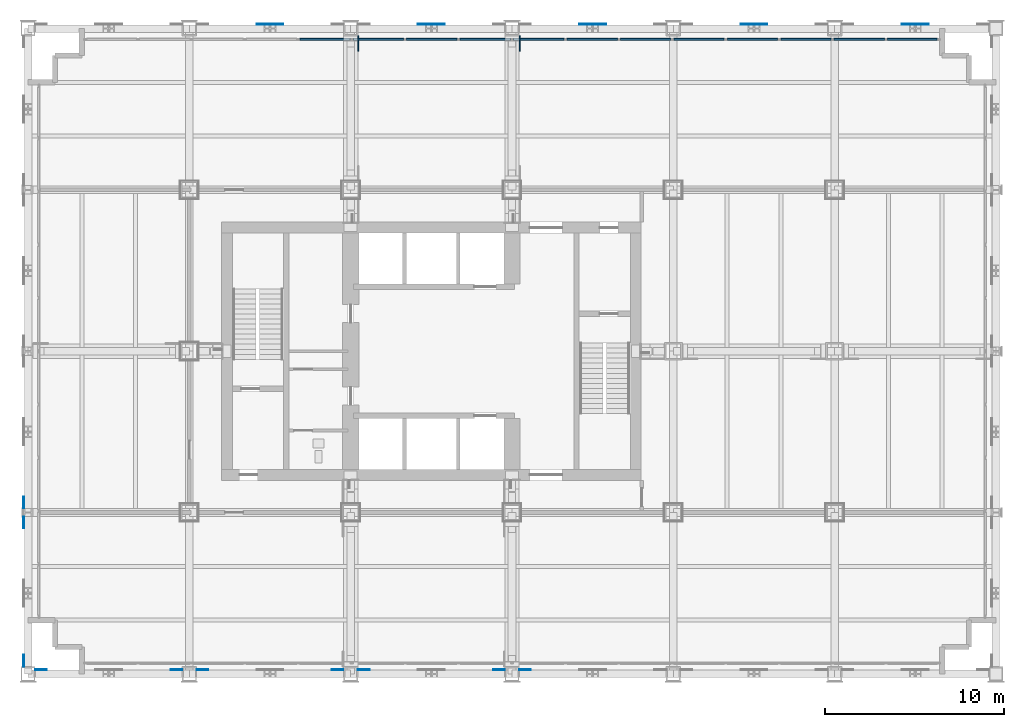
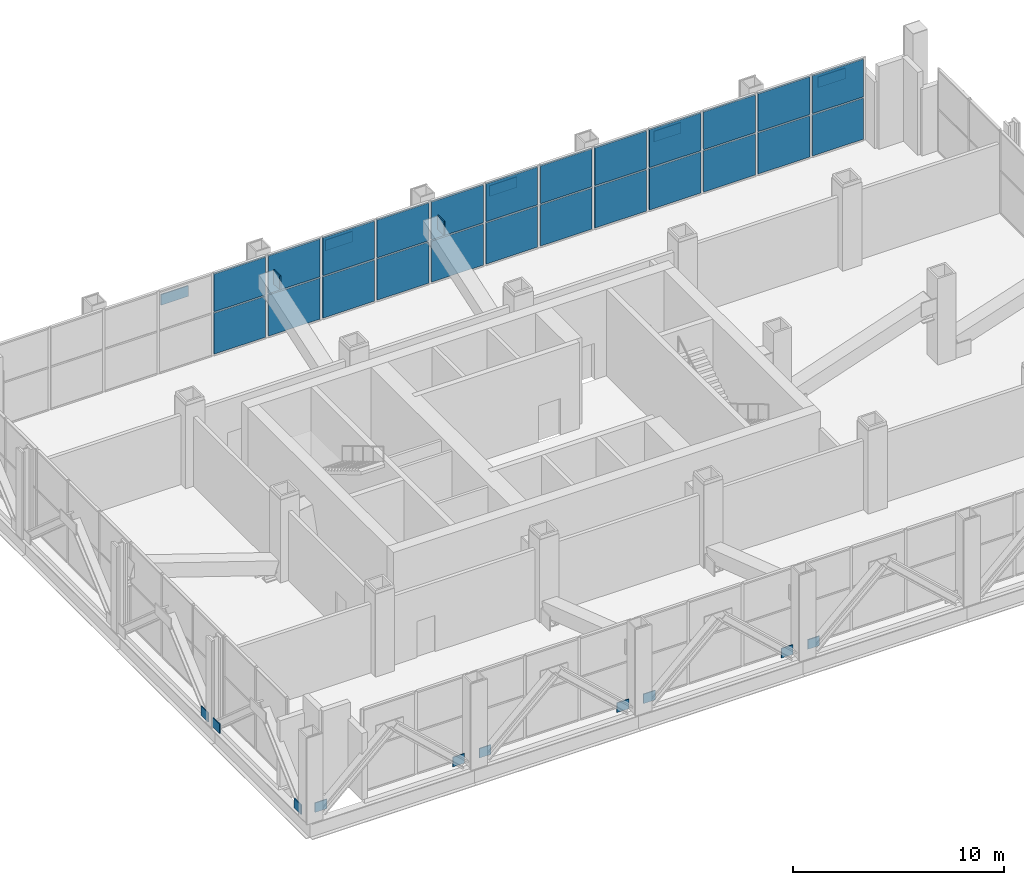
# One storey, part 12 of 19: 41 plates, 1 element without a shape of its own.
"""IFC4 building model written with IfcOpenShell, lengths in metres."""

from ifc_helpers import new_model, si_unit, direction, frame, origin, origin_2d, place, context, subcontext, project, spatial, rectangle, extrude, material, layer, layer_set, type_object, element, aggregate, save


model = new_model("IFC4")

# Units and contexts
model_context = context("Model", 3, precision=1e-05, world=origin(), true_north=direction((0.0, 1.0)))
body_context = subcontext(model_context, "Body", "Model", "MODEL_VIEW")
ifc_project = project(units=[si_unit("LENGTHUNIT", "METRE"), si_unit("AREAUNIT", "SQUARE_METRE"), si_unit("VOLUMEUNIT", "CUBIC_METRE"), si_unit("PLANEANGLEUNIT", "RADIAN"), si_unit("MASSUNIT", "GRAM", prefix="KILO")], contexts=[model_context])

# Site, building, storey
site_placement = place(None, origin())
site = spatial("IfcSite", under=ifc_project, at=site_placement, CompositionType="ELEMENT")
building_placement = place(site_placement, origin())
building = spatial("IfcBuilding", under=site, at=building_placement, Name="Loomwork Tower", CompositionType="ELEMENT")
storey_placement = place(building_placement, frame((0.0, 0.0, 89.199951171875)))
storey = spatial("IfcBuildingStorey", under=building, at=storey_placement, Name="L23", CompositionType="ELEMENT", Elevation=89.199951171875)

# Curtain wall, plates
ifc_material_1 = material(Name="Aluminium louvre frame", Category="aluminium")
curtain_wall_type = type_object("IfcCurtainWallType", Name="Plant floor louvre screen", PredefinedType="NOTDEFINED", material=ifc_material_1)
curtain_wall_placement = place(storey_placement, origin())
curtain_wall = element("IfcCurtainWall", 1, at=curtain_wall_placement, inside=storey, type_object=curtain_wall_type, Name="Plant floor louvre screen cw/N", PredefinedType="NOTDEFINED")
ifc_material_2 = material(Name="Aluminium louvre blade panel", Category="aluminium")
ifc_layer_1 = layer(ifc_material_2, 0.10009765625)
ifc_layer_set_1 = layer_set([ifc_layer_1], Name="Plant floor louvre screen panel")
plate_type_1 = type_object("IfcPlateType", Name="Plant floor louvre screen panel", PredefinedType="CURTAIN_PANEL", material=ifc_layer_set_1)
plate_1_placement = place(storey_placement, frame((49.33935546875, 35.39990234375, 0.080078125), z_axis=(0.0, 0.0, 1.0), x_axis=(-1.0, 0.0, 0.0)))
plate_1 = element("IfcPlate", 2, at=plate_1_placement, type_object=plate_type_1, Name="CW4 panel 1.1", PredefinedType="CURTAIN_PANEL", context=body_context, shape_type="SweptSolid", body=[
    extrude(rectangle(XDim=2.791259765625, YDim=0.10009765625, at=origin_2d()), origin(), (0.0, 0.0, 1.0), 2.3798828125),
])
plate_2_placement = place(storey_placement, frame((49.33935546875, 35.39990234375, 2.5400390625), z_axis=(0.0, 0.0, 1.0), x_axis=(-1.0, 0.0, 0.0)))
plate_2 = element("IfcPlate", 3, at=plate_2_placement, type_object=plate_type_1, Name="CW4 panel 1.2", PredefinedType="CURTAIN_PANEL", context=body_context, shape_type="SweptSolid", body=[
    extrude(rectangle(XDim=2.791259765625, YDim=0.10009765625, at=origin_2d()), origin(), (0.0, 0.0, 1.0), 2.179931640625),
])
plate_3_placement = place(storey_placement, frame((46.378173828125, 35.39990234375, 0.080078125), z_axis=(0.0, 0.0, 1.0), x_axis=(-1.0, 0.0, 0.0)))
plate_3 = element("IfcPlate", 4, at=plate_3_placement, type_object=plate_type_1, Name="CW4 panel 2.1", PredefinedType="CURTAIN_PANEL", context=body_context, shape_type="SweptSolid", body=[
    extrude(rectangle(XDim=2.831298828125, YDim=0.10009765625, at=origin_2d()), origin(), (0.0, 0.0, 1.0), 2.3798828125),
])
plate_4_placement = place(storey_placement, frame((46.378173828125, 35.39990234375, 2.5400390625), z_axis=(0.0, 0.0, 1.0), x_axis=(-1.0, 0.0, 0.0)))
plate_4 = element("IfcPlate", 5, at=plate_4_placement, type_object=plate_type_1, Name="CW4 panel 2.2", PredefinedType="CURTAIN_PANEL", context=body_context, shape_type="SweptSolid", body=[
    extrude(rectangle(XDim=2.831298828125, YDim=0.10009765625, at=origin_2d()), origin(), (0.0, 0.0, 1.0), 2.179931640625),
])
plate_5_placement = place(storey_placement, frame((43.39697265625, 35.39990234375, 0.080078125), z_axis=(0.0, 0.0, 1.0), x_axis=(-1.0, 0.0, 0.0)))
plate_5 = element("IfcPlate", 6, at=plate_5_placement, type_object=plate_type_1, Name="CW4 panel 3.1", PredefinedType="CURTAIN_PANEL", context=body_context, shape_type="SweptSolid", body=[
    extrude(rectangle(XDim=2.831298828125, YDim=0.10009765625, at=origin_2d()), origin(), (0.0, 0.0, 1.0), 2.3798828125),
])
plate_6_placement = place(storey_placement, frame((43.39697265625, 35.39990234375, 2.5400390625), z_axis=(0.0, 0.0, 1.0), x_axis=(-1.0, 0.0, 0.0)))
plate_6 = element("IfcPlate", 7, at=plate_6_placement, type_object=plate_type_1, Name="CW4 panel 3.2", PredefinedType="CURTAIN_PANEL", context=body_context, shape_type="SweptSolid", body=[
    extrude(rectangle(XDim=2.831298828125, YDim=0.10009765625, at=origin_2d()), origin(), (0.0, 0.0, 1.0), 2.179931640625),
])
plate_7_placement = place(storey_placement, frame((40.41552734375, 35.39990234375, 0.080078125), z_axis=(0.0, 0.0, 1.0), x_axis=(-1.0, 0.0, 0.0)))
plate_7 = element("IfcPlate", 8, at=plate_7_placement, type_object=plate_type_1, Name="CW4 panel 4.1", PredefinedType="CURTAIN_PANEL", context=body_context, shape_type="SweptSolid", body=[
    extrude(rectangle(XDim=2.831298828125, YDim=0.10009765625, at=origin_2d()), origin(), (0.0, 0.0, 1.0), 2.3798828125),
])
plate_8_placement = place(storey_placement, frame((40.41552734375, 35.39990234375, 2.5400390625), z_axis=(0.0, 0.0, 1.0), x_axis=(-1.0, 0.0, 0.0)))
plate_8 = element("IfcPlate", 9, at=plate_8_placement, type_object=plate_type_1, Name="CW4 panel 4.2", PredefinedType="CURTAIN_PANEL", context=body_context, shape_type="SweptSolid", body=[
    extrude(rectangle(XDim=2.831298828125, YDim=0.10009765625, at=origin_2d()), origin(), (0.0, 0.0, 1.0), 2.179931640625),
])
plate_9_placement = place(storey_placement, frame((37.434326171875, 35.39990234375, 0.080078125), z_axis=(0.0, 0.0, 1.0), x_axis=(-1.0, 0.0, 0.0)))
plate_9 = element("IfcPlate", 10, at=plate_9_placement, type_object=plate_type_1, Name="CW4 panel 5.1", PredefinedType="CURTAIN_PANEL", context=body_context, shape_type="SweptSolid", body=[
    extrude(rectangle(XDim=2.831298828125, YDim=0.10009765625, at=origin_2d()), origin(), (0.0, 0.0, 1.0), 2.3798828125),
])
plate_10_placement = place(storey_placement, frame((37.434326171875, 35.39990234375, 2.5400390625), z_axis=(0.0, 0.0, 1.0), x_axis=(-1.0, 0.0, 0.0)))
plate_10 = element("IfcPlate", 11, at=plate_10_placement, type_object=plate_type_1, Name="CW4 panel 5.2", PredefinedType="CURTAIN_PANEL", context=body_context, shape_type="SweptSolid", body=[
    extrude(rectangle(XDim=2.831298828125, YDim=0.10009765625, at=origin_2d()), origin(), (0.0, 0.0, 1.0), 2.179931640625),
])
plate_11_placement = place(storey_placement, frame((34.453125, 35.39990234375, 0.080078125), z_axis=(0.0, 0.0, 1.0), x_axis=(-1.0, 0.0, 0.0)))
plate_11 = element("IfcPlate", 12, at=plate_11_placement, type_object=plate_type_1, Name="CW4 panel 6.1", PredefinedType="CURTAIN_PANEL", context=body_context, shape_type="SweptSolid", body=[
    extrude(rectangle(XDim=2.831298828125, YDim=0.10009765625, at=origin_2d()), origin(), (0.0, 0.0, 1.0), 2.3798828125),
])
plate_12_placement = place(storey_placement, frame((34.453125, 35.39990234375, 2.5400390625), z_axis=(0.0, 0.0, 1.0), x_axis=(-1.0, 0.0, 0.0)))
plate_12 = element("IfcPlate", 13, at=plate_12_placement, type_object=plate_type_1, Name="CW4 panel 6.2", PredefinedType="CURTAIN_PANEL", context=body_context, shape_type="SweptSolid", body=[
    extrude(rectangle(XDim=2.831298828125, YDim=0.10009765625, at=origin_2d()), origin(), (0.0, 0.0, 1.0), 2.179931640625),
])
plate_13_placement = place(storey_placement, frame((31.471923828125, 35.39990234375, 0.080078125), z_axis=(0.0, 0.0, 1.0), x_axis=(-1.0, 0.0, 0.0)))
plate_13 = element("IfcPlate", 14, at=plate_13_placement, type_object=plate_type_1, Name="CW4 panel 7.1", PredefinedType="CURTAIN_PANEL", context=body_context, shape_type="SweptSolid", body=[
    extrude(rectangle(XDim=2.831298828125, YDim=0.10009765625, at=origin_2d()), origin(), (0.0, 0.0, 1.0), 2.3798828125),
])
plate_14_placement = place(storey_placement, frame((31.471923828125, 35.39990234375, 2.5400390625), z_axis=(0.0, 0.0, 1.0), x_axis=(-1.0, 0.0, 0.0)))
plate_14 = element("IfcPlate", 15, at=plate_14_placement, type_object=plate_type_1, Name="CW4 panel 7.2", PredefinedType="CURTAIN_PANEL", context=body_context, shape_type="SweptSolid", body=[
    extrude(rectangle(XDim=2.831298828125, YDim=0.10009765625, at=origin_2d()), origin(), (0.0, 0.0, 1.0), 2.179931640625),
])
plate_15_placement = place(storey_placement, frame((28.49072265625, 35.39990234375, 0.080078125), z_axis=(0.0, 0.0, 1.0), x_axis=(-1.0, 0.0, 0.0)))
plate_15 = element("IfcPlate", 16, at=plate_15_placement, type_object=plate_type_1, Name="CW4 panel 8.1", PredefinedType="CURTAIN_PANEL", context=body_context, shape_type="SweptSolid", body=[
    extrude(rectangle(XDim=2.831298828125, YDim=0.10009765625, at=origin_2d()), origin(), (0.0, 0.0, 1.0), 2.3798828125),
])
plate_16_placement = place(storey_placement, frame((28.49072265625, 35.39990234375, 2.5400390625), z_axis=(0.0, 0.0, 1.0), x_axis=(-1.0, 0.0, 0.0)))
plate_16 = element("IfcPlate", 17, at=plate_16_placement, type_object=plate_type_1, Name="CW4 panel 8.2", PredefinedType="CURTAIN_PANEL", context=body_context, shape_type="SweptSolid", body=[
    extrude(rectangle(XDim=2.831298828125, YDim=0.10009765625, at=origin_2d()), origin(), (0.0, 0.0, 1.0), 2.179931640625),
])
plate_17_placement = place(storey_placement, frame((25.50927734375, 35.39990234375, 0.080078125), z_axis=(0.0, 0.0, 1.0), x_axis=(-1.0, 0.0, 0.0)))
plate_17 = element("IfcPlate", 18, at=plate_17_placement, type_object=plate_type_1, Name="CW4 panel 9.1", PredefinedType="CURTAIN_PANEL", context=body_context, shape_type="SweptSolid", body=[
    extrude(rectangle(XDim=2.831298828125, YDim=0.10009765625, at=origin_2d()), origin(), (0.0, 0.0, 1.0), 2.3798828125),
])
plate_18_placement = place(storey_placement, frame((25.50927734375, 35.39990234375, 2.5400390625), z_axis=(0.0, 0.0, 1.0), x_axis=(-1.0, 0.0, 0.0)))
plate_18 = element("IfcPlate", 19, at=plate_18_placement, type_object=plate_type_1, Name="CW4 panel 9.2", PredefinedType="CURTAIN_PANEL", context=body_context, shape_type="SweptSolid", body=[
    extrude(rectangle(XDim=2.831298828125, YDim=0.10009765625, at=origin_2d()), origin(), (0.0, 0.0, 1.0), 2.179931640625),
])
plate_19_placement = place(storey_placement, frame((22.528076171875, 35.39990234375, 0.080078125), z_axis=(0.0, 0.0, 1.0), x_axis=(-1.0, 0.0, 0.0)))
plate_19 = element("IfcPlate", 20, at=plate_19_placement, type_object=plate_type_1, Name="CW4 panel 10.1", PredefinedType="CURTAIN_PANEL", context=body_context, shape_type="SweptSolid", body=[
    extrude(rectangle(XDim=2.831298828125, YDim=0.10009765625, at=origin_2d()), origin(), (0.0, 0.0, 1.0), 2.3798828125),
])
plate_20_placement = place(storey_placement, frame((22.528076171875, 35.39990234375, 2.5400390625), z_axis=(0.0, 0.0, 1.0), x_axis=(-1.0, 0.0, 0.0)))
plate_20 = element("IfcPlate", 21, at=plate_20_placement, type_object=plate_type_1, Name="CW4 panel 10.2", PredefinedType="CURTAIN_PANEL", context=body_context, shape_type="SweptSolid", body=[
    extrude(rectangle(XDim=2.831298828125, YDim=0.10009765625, at=origin_2d()), origin(), (0.0, 0.0, 1.0), 2.179931640625),
])
plate_21_placement = place(storey_placement, frame((19.546875, 35.39990234375, 0.080078125), z_axis=(0.0, 0.0, 1.0), x_axis=(-1.0, 0.0, 0.0)))
plate_21 = element("IfcPlate", 22, at=plate_21_placement, type_object=plate_type_1, Name="CW4 panel 11.1", PredefinedType="CURTAIN_PANEL", context=body_context, shape_type="SweptSolid", body=[
    extrude(rectangle(XDim=2.831298828125, YDim=0.10009765625, at=origin_2d()), origin(), (0.0, 0.0, 1.0), 2.3798828125),
])
plate_22_placement = place(storey_placement, frame((19.546875, 35.39990234375, 2.5400390625), z_axis=(0.0, 0.0, 1.0), x_axis=(-1.0, 0.0, 0.0)))
plate_22 = element("IfcPlate", 23, at=plate_22_placement, type_object=plate_type_1, Name="CW4 panel 11.2", PredefinedType="CURTAIN_PANEL", context=body_context, shape_type="SweptSolid", body=[
    extrude(rectangle(XDim=2.831298828125, YDim=0.10009765625, at=origin_2d()), origin(), (0.0, 0.0, 1.0), 2.179931640625),
])
plate_23_placement = place(storey_placement, frame((16.565673828125, 35.39990234375, 0.080078125), z_axis=(0.0, 0.0, 1.0), x_axis=(-1.0, 0.0, 0.0)))
plate_23 = element("IfcPlate", 24, at=plate_23_placement, type_object=plate_type_1, Name="CW4 panel 12.1", PredefinedType="CURTAIN_PANEL", context=body_context, shape_type="SweptSolid", body=[
    extrude(rectangle(XDim=2.831298828125, YDim=0.10009765625, at=origin_2d()), origin(), (0.0, 0.0, 1.0), 2.3798828125),
])
plate_24_placement = place(storey_placement, frame((16.565673828125, 35.39990234375, 2.5400390625), z_axis=(0.0, 0.0, 1.0), x_axis=(-1.0, 0.0, 0.0)))
plate_24 = element("IfcPlate", 25, at=plate_24_placement, type_object=plate_type_1, Name="CW4 panel 12.2", PredefinedType="CURTAIN_PANEL", context=body_context, shape_type="SweptSolid", body=[
    extrude(rectangle(XDim=2.831298828125, YDim=0.10009765625, at=origin_2d()), origin(), (0.0, 0.0, 1.0), 2.179931640625),
])
aggregate(curtain_wall, [plate_1, plate_2, plate_3, plate_4, plate_5, plate_6, plate_7, plate_8, plate_9, plate_10, plate_11, plate_12, plate_13, plate_14, plate_15, plate_16, plate_17, plate_18, plate_19, plate_20, plate_21, plate_22, plate_23, plate_24])

# Plates
ifc_material_3 = material(Name="Steel ASTM A572 Grade 50 plate", Category="steel")
ifc_layer_2 = layer(ifc_material_3, 0.050048828125)
ifc_layer_set_2 = layer_set([ifc_layer_2], Name="BELT TRUSS APEX GUSSET PLATE 50")
plate_type_2 = type_object("IfcPlateType", Name="BELT TRUSS APEX GUSSET PLATE 50", PredefinedType="SHEET", material=ifc_layer_set_2)
for number, where, z_axis, x_axis, name in (
    (26, (13.5, 36.238037109375, 3.23046875), (0.0, 0.0, 1.0), (1.0, 0.0, 0.0), "Belt truss chevron apex gusset plate H/3-H/4 L23"),
    (27, (22.5, 36.238037109375, 3.23046875), (0.0, 0.0, 1.0), (1.0, 0.0, 0.0), "Belt truss chevron apex gusset plate H/4-H/5 L23"),
    (28, (31.5, 36.238037109375, 3.23046875), (0.0, 0.0, 1.0), (1.0, 0.0, 0.0), "Belt truss chevron apex gusset plate H/5-H/6 L23"),
    (29, (40.5, 36.238037109375, 3.23046875), (0.0, 0.0, 1.0), (1.0, 0.0, 0.0), "Belt truss chevron apex gusset plate H/6-H/7 L23"),
    (30, (49.5, 36.238037109375, 3.23046875), (0.0, 0.0, 1.0), (1.0, 0.0, 0.0), "Belt truss chevron apex gusset plate H/7-H/8 L23"),
):
    element("IfcPlate", number, at=place(storey_placement, frame(where, z_axis=z_axis, x_axis=x_axis)), inside=storey, type_object=plate_type_2, Name=name, PredefinedType="SHEET", context=body_context, shape_type="SweptSolid", body=[
        extrude(rectangle(XDim=1.5, YDim=0.050048828125, at=origin_2d()), origin(), (0.0, 0.0, 1.0), 0.6201171875),
    ])
ifc_material_4 = material(Name="Steel ASTM A572 Grade 50 plate", Category="steel")
ifc_layer_3 = layer(ifc_material_4, 0.050048828125)
ifc_layer_set_3 = layer_set([ifc_layer_3], Name="BELT TRUSS PIER GUSSET PLATE 50")
plate_type_3 = type_object("IfcPlateType", Name="BELT TRUSS PIER GUSSET PLATE 50", PredefinedType="SHEET", material=ifc_layer_set_3)
for number, where, z_axis, x_axis, name in (
    (31, (0.72705078125, 0.238037109375, 0.001953125), (0.0, 0.0, 1.0), (1.0, 0.0, 0.0), "Belt truss pier gusset plate D/2-D/3 1 L23"),
    (32, (8.27294921875, 0.238037109375, 0.001953125), (0.0, 0.0, 1.0), (1.0, 0.0, 0.0), "Belt truss pier gusset plate D/2-D/3 2 L23"),
    (33, (-0.238037109375, 0.72705078125, 0.001953125), (0.0, 0.0, 1.0), (0.0, 1.0, 0.0), "Belt truss pier gusset plate D/2-E/2 1 L23"),
    (34, (-0.238037109375, 8.4482421875, 0.001953125), (0.0, 0.0, 1.0), (0.0, 1.0, 0.0), "Belt truss pier gusset plate D/2-E/2 2 L23"),
    (35, (9.72705078125, 0.238037109375, 0.001953125), (0.0, 0.0, 1.0), (1.0, 0.0, 0.0), "Belt truss pier gusset plate D/3-D/4 1 L23"),
    (36, (17.27294921875, 0.238037109375, 0.001953125), (0.0, 0.0, 1.0), (1.0, 0.0, 0.0), "Belt truss pier gusset plate D/3-D/4 2 L23"),
    (37, (18.72705078125, 0.238037109375, 0.001953125), (0.0, 0.0, 1.0), (1.0, 0.0, 0.0), "Belt truss pier gusset plate D/4-D/5 1 L23"),
    (38, (26.27294921875, 0.238037109375, 0.001953125), (0.0, 0.0, 1.0), (1.0, 0.0, 0.0), "Belt truss pier gusset plate D/4-D/5 2 L23"),
    (39, (27.72705078125, 0.238037109375, 0.001953125), (0.0, 0.0, 1.0), (1.0, 0.0, 0.0), "Belt truss pier gusset plate D/5-D/6 1 L23"),
    (40, (-0.238037109375, 9.5517578125, 0.001953125), (0.0, 0.0, 1.0), (0.0, 1.0, 0.0), "Belt truss pier gusset plate E/2-F/2 1 L23"),
):
    element("IfcPlate", number, at=place(storey_placement, frame(where, z_axis=z_axis, x_axis=x_axis)), inside=storey, type_object=plate_type_3, Name=name, PredefinedType="SHEET", context=body_context, shape_type="SweptSolid", body=[
        extrude(rectangle(XDim=0.64990234375, YDim=0.050048828125, at=origin_2d()), origin(), (0.0, 0.0, 1.0), 0.550048828125),
    ])
ifc_material_5 = material(Name="Steel ASTM A572 Grade 50 plate", Category="steel")
ifc_layer_4 = layer(ifc_material_5, 0.06005859375)
ifc_layer_set_4 = layer_set([ifc_layer_4], Name="OUTRIGGER GUSSET PLATE 60")
plate_type_4 = type_object("IfcPlateType", Name="OUTRIGGER GUSSET PLATE 60", PredefinedType="SHEET", material=ifc_layer_set_4)
for number, where, z_axis, x_axis, name in (
    (41, (18.430908203125, 35.1708984375, 3.0224609375), (0.0, 0.0, 1.0), (0.0, 1.0, 0.0), "Outrigger top gusset plate H/4/0 L23"),
    (42, (27.430908203125, 35.1708984375, 3.0224609375), (0.0, 0.0, 1.0), (0.0, 1.0, 0.0), "Outrigger top gusset plate H/5/0 L23"),
):
    element("IfcPlate", number, at=place(storey_placement, frame(where, z_axis=z_axis, x_axis=x_axis)), inside=storey, type_object=plate_type_4, Name=name, PredefinedType="SHEET", context=body_context, shape_type="SweptSolid", body=[
        extrude(rectangle(XDim=0.85009765625, YDim=0.06005859375, at=origin_2d()), origin(), (0.0, 0.0, 1.0), 0.820068359375),
    ])

save(model, "model.ifc")
